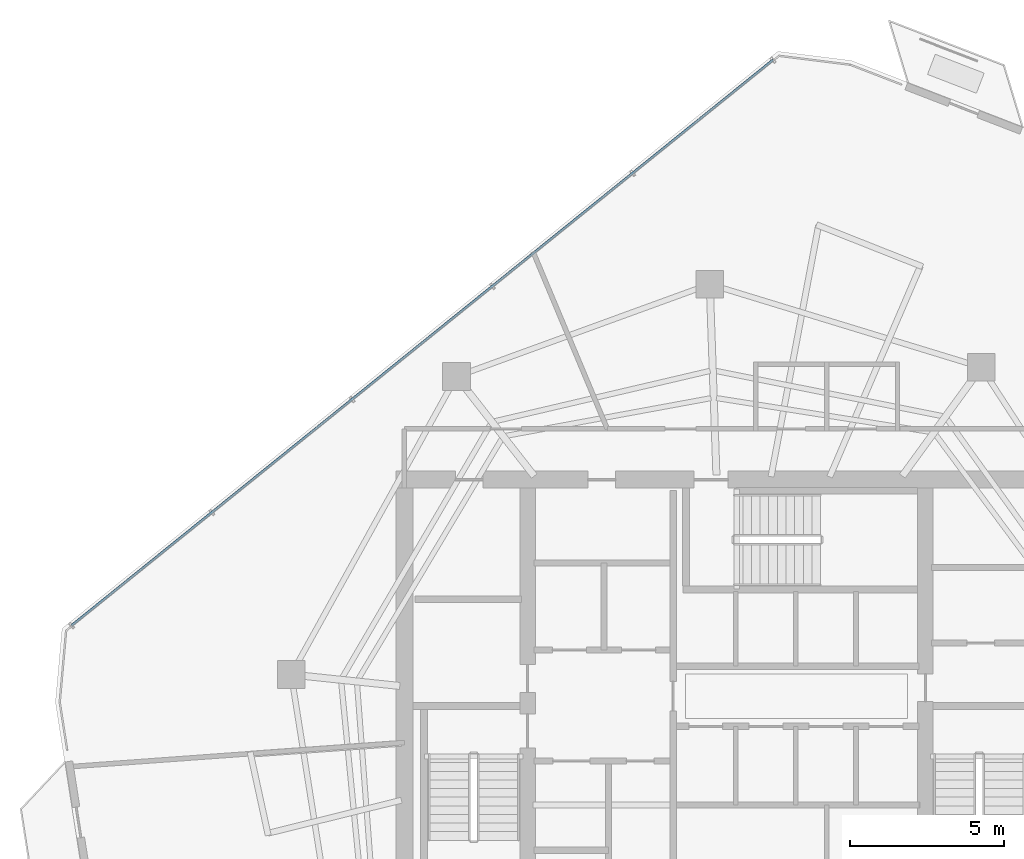
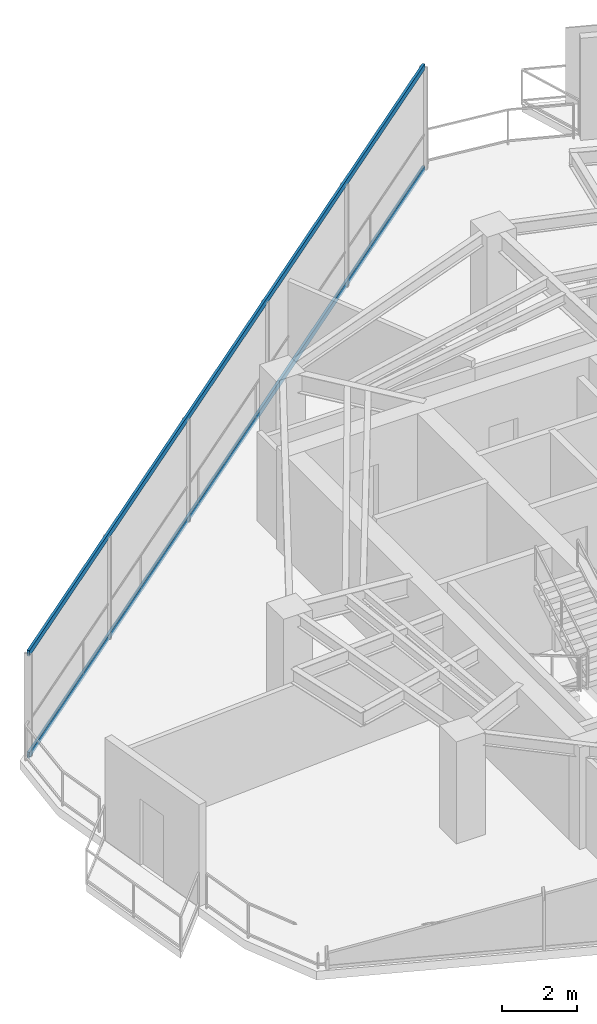
# One storey, part 12 of 19: 2 members, 1 element without a shape of its own.
"""IFC4 building model written with IfcOpenShell, lengths in metres."""

from ifc_helpers import new_model, si_unit, direction, frame, origin, origin_2d, place, context, subcontext, project, spatial, hollow_rectangle, extrude, material, layer, layer_set, material_profile, profile_set, type_object, element, aggregate, save


model = new_model("IFC4")

# Units and contexts
model_context = context("Model", 3, precision=1e-05, world=origin(), true_north=direction((0.0, 1.0)))
body_context = subcontext(model_context, "Body", "Model", "MODEL_VIEW")
ifc_project = project(units=[si_unit("LENGTHUNIT", "METRE"), si_unit("AREAUNIT", "SQUARE_METRE"), si_unit("VOLUMEUNIT", "CUBIC_METRE"), si_unit("PLANEANGLEUNIT", "RADIAN"), si_unit("MASSUNIT", "GRAM", prefix="KILO")], contexts=[model_context])

# Site, building, storey
site_placement = place(None, origin())
site = spatial("IfcSite", under=ifc_project, at=site_placement, CompositionType="ELEMENT")
building_placement = place(site_placement, origin())
building = spatial("IfcBuilding", under=site, at=building_placement, Name="Qarnah Convention Tower", CompositionType="ELEMENT")
storey_placement = place(building_placement, frame((0.0, 0.0, 213.0)))
storey = spatial("IfcBuildingStorey", under=building, at=storey_placement, Name="L57", CompositionType="ELEMENT", Elevation=213.0)

# Curtain wall, members
ifc_material_1 = material(Name="Tempered Low-E dark glass", Category="glass")
ifc_layer = layer(ifc_material_1, 0.174072265625)
ifc_layer_set = layer_set([ifc_layer], Name="Tempered Low-E dark glass")
curtain_wall_type = type_object("IfcCurtainWallType", Name="CWS-04", PredefinedType="NOTDEFINED", material=ifc_layer_set)
curtain_wall_placement = place(storey_placement, origin())
curtain_wall = element("IfcCurtainWall", 1, at=curtain_wall_placement, inside=storey, type_object=curtain_wall_type, Name="L57 unitised curtain wall CW-L57-F3", PredefinedType="NOTDEFINED")
ifc_material_2 = material(Name="Black anodised aluminium", Category="aluminium")
ifc_material_profile = material_profile(ifc_material_2, hollow_rectangle(XDim=0.074951171875, YDim=0.18994140625, WallThickness=0.0048828125, at=origin_2d()), Name="TRN-75X190")
ifc_profile_set = profile_set([ifc_material_profile], Name="Black anodised aluminium")
member_type = type_object("IfcMemberType", Name="TRN-T4", PredefinedType="USERDEFINED", material=ifc_profile_set)
member_1_placement = place(storey_placement, frame((16.0009765625, 29.468994140625, 0.0), z_axis=(0.778479653676, 0.627669840611, 0.0), x_axis=(-0.627669840611, 0.778479653676, 0.0)))
member_1 = element("IfcMember", 2, at=member_1_placement, type_object=member_type, Name="CW-L57-F3 transom 1", ObjectType="TRANSOM", PredefinedType="USERDEFINED", context=body_context, shape_type="SweptSolid", body=[
    extrude(hollow_rectangle(XDim=0.074951171875, YDim=0.18994140625, WallThickness=0.0048828125, at=origin_2d()), origin(), (0.0, 0.0, 1.0), 29.230224609375),
])
member_2_placement = place(storey_placement, frame((16.0009765625, 29.468994140625, 3.320068359375), z_axis=(0.778479653676, 0.627669840611, 0.0), x_axis=(-0.627669840611, 0.778479653676, 0.0)))
member_2 = element("IfcMember", 3, at=member_2_placement, type_object=member_type, Name="CW-L57-F3 transom 2", ObjectType="TRANSOM", PredefinedType="USERDEFINED", context=body_context, shape_type="SweptSolid", body=[
    extrude(hollow_rectangle(XDim=0.074951171875, YDim=0.18994140625, WallThickness=0.0048828125, at=origin_2d()), origin(), (0.0, 0.0, 1.0), 29.230224609375),
])
aggregate(curtain_wall, [member_1, member_2])

save(model, "model.ifc")
